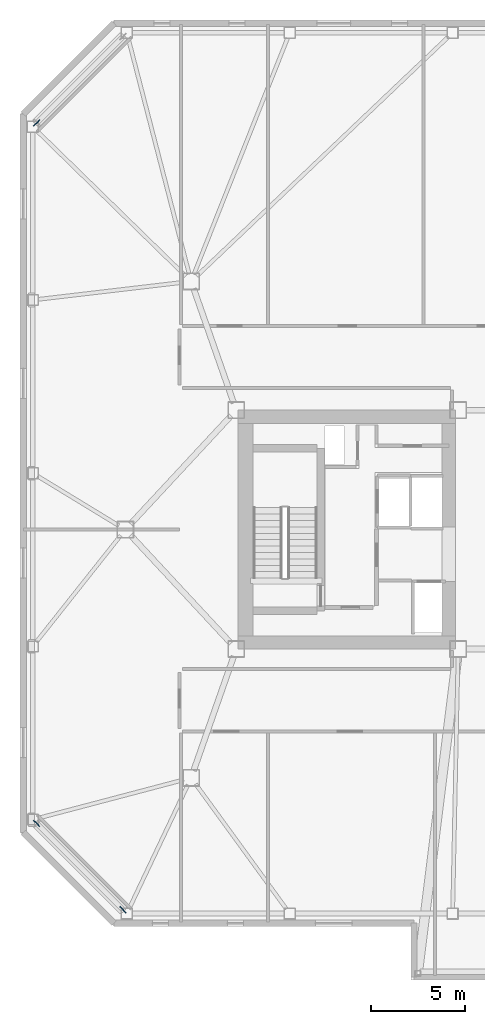
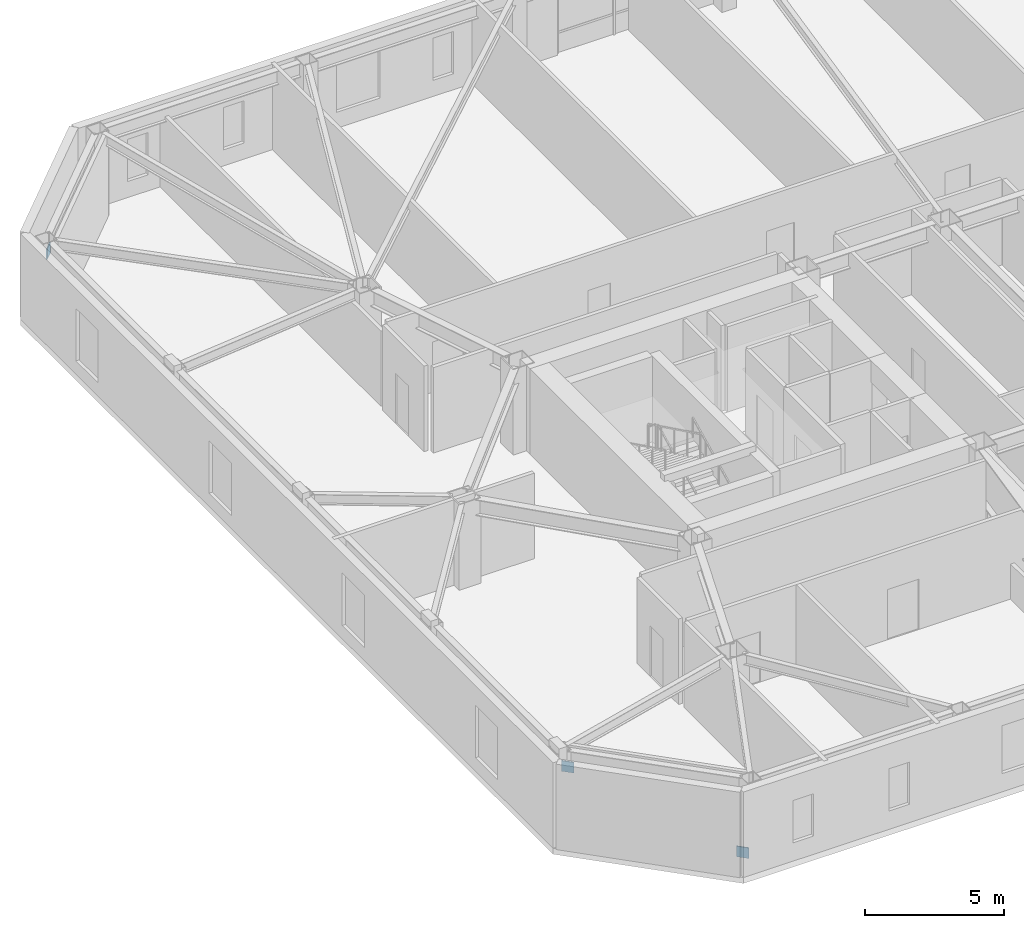
# One storey, part 14 of 17: 3 discrete accessories.
"""IFC4 building model written with IfcOpenShell, lengths in metres."""

from ifc_helpers import new_model, si_unit, direction, frame, origin, origin_2d, place, context, subcontext, project, spatial, rectangle, extrude, material, type_object, element, save


model = new_model("IFC4")

# Units and contexts
model_context = context("Model", 3, precision=1e-05, world=origin(), true_north=direction((0.0, 1.0)))
body_context = subcontext(model_context, "Body", "Model", "MODEL_VIEW")
ifc_project = project(units=[si_unit("LENGTHUNIT", "METRE"), si_unit("AREAUNIT", "SQUARE_METRE"), si_unit("VOLUMEUNIT", "CUBIC_METRE"), si_unit("PLANEANGLEUNIT", "RADIAN"), si_unit("MASSUNIT", "GRAM", prefix="KILO")], contexts=[model_context])

# Site, building, storey
site_placement = place(None, origin())
site = spatial("IfcSite", under=ifc_project, at=site_placement, CompositionType="ELEMENT")
building_placement = place(site_placement, origin())
building = spatial("IfcBuilding", under=site, at=building_placement, Name="Tavrogorsk Clinical Tower", CompositionType="ELEMENT")
storey_placement = place(building_placement, frame((0.0, 0.0, 160.199951171875)))
storey = spatial("IfcBuildingStorey", under=building, at=storey_placement, Name="L36", CompositionType="ELEMENT", Elevation=160.199951171875)

# Discrete accessories
ifc_material = material(Name="Structural steel S440", Category="steel")
discrete_accessory_type = type_object("IfcDiscreteAccessoryType", Name="GussetPlateBracket_25", PredefinedType="BRACKET", material=ifc_material)
for number, where, z_axis, x_axis, name in (
    (1, (-32.717529296875, 21.62255859375, 2.7470703125), (0.0, 0.0, 1.0), (-0.707106781187, -0.707106781187, 0.0), "L36 Brace Gusset Plate EXOCRN-L36-3-B"),
    (2, (-28.12255859375, -20.217529296875, 0.18310546875), (0.0, 0.0, 1.0), (-0.707106781187, 0.707106781187, 0.0), "L36 Brace Gusset Plate EXOCRN-L36-4-A"),
    (3, (-32.717529296875, -15.62255859375, 2.7470703125), (0.0, 0.0, 1.0), (-0.707106781187, 0.707106781187, 0.0), "L36 Brace Gusset Plate EXOCRN-L36-4-B"),
):
    element("IfcDiscreteAccessory", number, at=place(storey_placement, frame(where, z_axis=z_axis, x_axis=x_axis)), inside=storey, type_object=discrete_accessory_type, Name=name, PredefinedType="BRACKET", context=body_context, shape_type="SweptSolid", body=[
        extrude(rectangle(XDim=0.4599609375, YDim=0.0400390625, at=origin_2d()), origin(), (0.0, 0.0, 1.0), 0.4599609375),
    ])

save(model, "model.ifc")
